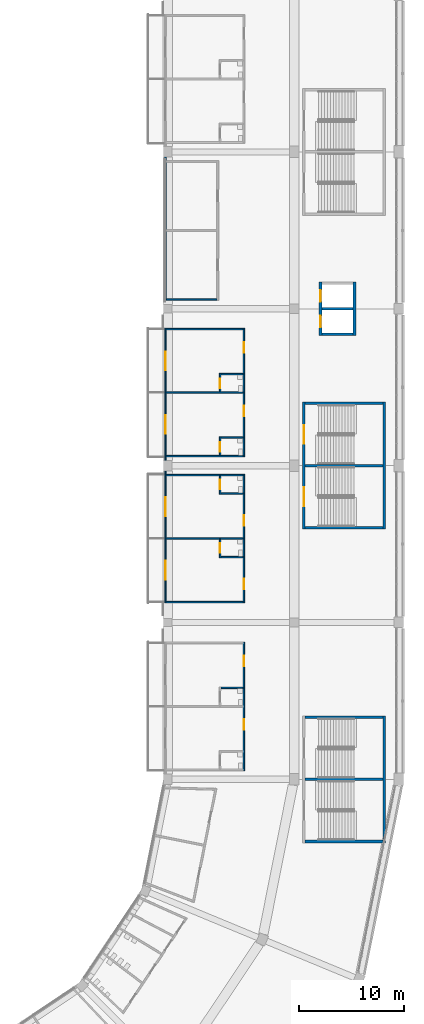
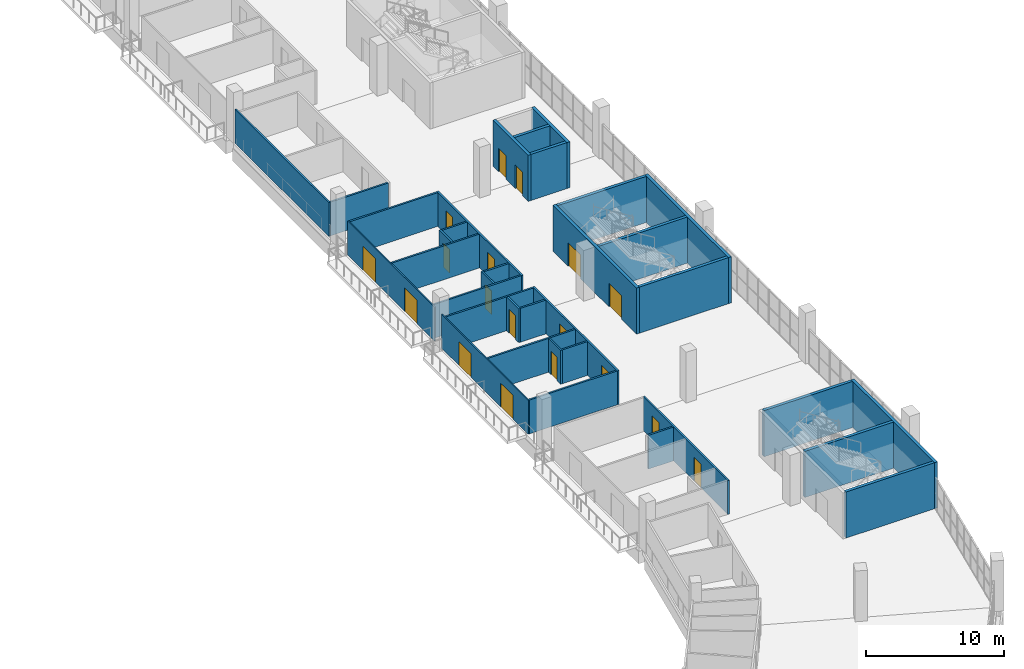
# One storey, part 80 of 199: 35 walls, 18 doors, 18 openings.
"""IFC4 building model written with IfcOpenShell, lengths in metres."""

from ifc_helpers import new_model, si_unit, direction, frame, frame_2d, origin, place, context, subcontext, project, spatial, rectangle, extrude, material, layer, layer_set, type_object, element, fill, save


model = new_model("IFC4")

# Units and contexts
model_context = context("Model", 3, precision=1e-05, world=origin(), true_north=direction((0.0, 1.0)))
body_context = subcontext(model_context, "Body", "Model", "MODEL_VIEW")
ifc_project = project(units=[si_unit("LENGTHUNIT", "METRE"), si_unit("AREAUNIT", "SQUARE_METRE"), si_unit("VOLUMEUNIT", "CUBIC_METRE"), si_unit("PLANEANGLEUNIT", "RADIAN"), si_unit("MASSUNIT", "GRAM", prefix="KILO")], contexts=[model_context])

# Site, building, storey
site_placement = place(None, origin())
site = spatial("IfcSite", under=ifc_project, at=site_placement, CompositionType="ELEMENT")
building_placement = place(site_placement, origin())
building = spatial("IfcBuilding", under=site, at=building_placement, Name="Ogive Plaza Stadium", CompositionType="ELEMENT")
storey_placement = place(building_placement, frame((0.0, 0.0, 9.0)))
storey = spatial("IfcBuildingStorey", under=building, at=storey_placement, Name="L02", CompositionType="ELEMENT", Elevation=9.0)

# Walls
ifc_material_1 = material(Name="Masonry blockwork", Category="masonry")
ifc_layer_1 = layer(ifc_material_1, 0.14990234375)
ifc_layer_set_1 = layer_set([ifc_layer_1], Name="Blockwork wall 150")
wall_type_1 = type_object("IfcWallType", Name="Blockwork wall 150", PredefinedType="SOLIDWALL", material=ifc_layer_set_1)
wall_1_placement = place(storey_placement, frame((61.699951171875, 7.0, 0.0), z_axis=(0.0, 0.0, 1.0), x_axis=(0.0, -1.0, 0.0)))
element("IfcWall", 1, at=wall_1_placement, inside=storey, type_object=wall_type_1, Name="Wall L02 B04", PredefinedType="SOLIDWALL", context=body_context, shape_type="SweptSolid", body=[
    extrude(rectangle(XDim=13.675048828125, YDim=0.14990234375, at=frame_2d((6.83740234375, 0.0))), origin(), (0.0, 0.0, 1.0), 3.0),
])
wall_2_placement = place(storey_placement, frame((61.77490234375, -6.60009765625, 0.0), z_axis=(0.0, 0.0, 1.0), x_axis=(1.0, 0.0, 0.0)))
element("IfcWall", 2, at=wall_2_placement, inside=storey, type_object=wall_type_1, Name="Wall L02 B04", PredefinedType="SOLIDWALL", context=body_context, shape_type="SweptSolid", body=[
    extrude(rectangle(XDim=4.85009765625, YDim=0.14990234375, at=frame_2d((2.425048828125, 0.0))), origin(), (0.0, 0.0, 1.0), 3.0),
])

# Wall, openings, doors
wall_3_placement = place(storey_placement, frame((69.199951171875, -21.675048828125, 0.0), z_axis=(0.0, 0.0, 1.0), x_axis=(0.0, 1.0, 0.0)))
wall_3 = element("IfcWall", 3, at=wall_3_placement, inside=storey, type_object=wall_type_1, Name="Wall L02 B05", PredefinedType="SOLIDWALL", context=body_context, shape_type="SweptSolid", body=[
    extrude(rectangle(XDim=12.300048828125, YDim=0.14990234375, at=frame_2d((6.14990234375, 0.0))), origin(), (0.0, 0.0, 1.0), 3.0),
])
opening_1_placement = place(wall_3_placement, frame((3.916015625, 0.0, 0.0)))
opening_1 = element("IfcOpeningElement", 4, at=opening_1_placement, cuts=wall_3, Name="Opening D0625", PredefinedType="OPENING", context=body_context, shape_type="SweptSolid", body=[
    extrude(rectangle(XDim=1.0, YDim=2.10009765625, at=frame_2d((0.5, 1.050048828125))), frame((0.0, 0.074951171875, 0.0), z_axis=(0.0, -1.0, 0.0), x_axis=(1.0, 0.0, 0.0)), (0.0, 0.0, 1.0), 0.14990234375),
])
opening_2_placement = place(wall_3_placement, frame((9.990966796875, 0.0, 0.0)))
opening_2 = element("IfcOpeningElement", 5, at=opening_2_placement, cuts=wall_3, Name="Opening D0626", PredefinedType="OPENING", context=body_context, shape_type="SweptSolid", body=[
    extrude(rectangle(XDim=1.0, YDim=2.10009765625, at=frame_2d((0.5, 1.050048828125))), frame((0.0, 0.074951171875, 0.0), z_axis=(0.0, -1.0, 0.0), x_axis=(1.0, 0.0, 0.0)), (0.0, 0.0, 1.0), 0.14990234375),
])
ifc_material_2 = material(Name="Steel ASTM A572 Grade 50", Category="steel")
door_type_1 = type_object("IfcDoorType", Name="Fire door FD30S 1000 x 2100", OperationType="SINGLE_SWING_LEFT", PredefinedType="DOOR", material=ifc_material_2)
door_1_placement = place(opening_1_placement, origin())
door_1 = element("IfcDoor", 6, at=door_1_placement, inside=storey, type_object=door_type_1, Name="Hospitality Suite B05 door", OperationType="SINGLE_SWING_LEFT", OverallHeight=2.10009765625, OverallWidth=1.0, PredefinedType="DOOR", context=body_context, shape_type="SweptSolid", body=[
    extrude(rectangle(XDim=1.0, YDim=2.10009765625, at=frame_2d((0.5, 1.050048828125))), frame((0.0, 0.02490234375, 0.0), z_axis=(0.0, -1.0, 0.0), x_axis=(1.0, 0.0, 0.0)), (0.0, 0.0, 1.0), 0.050048828125),
])
fill(opening_1, door_1)
door_2_placement = place(opening_2_placement, origin())
door_2 = element("IfcDoor", 7, at=door_2_placement, inside=storey, type_object=door_type_1, Name="Hospitality Suite B05 door", OperationType="SINGLE_SWING_LEFT", OverallHeight=2.10009765625, OverallWidth=1.0, PredefinedType="DOOR", context=body_context, shape_type="SweptSolid", body=[
    extrude(rectangle(XDim=1.0, YDim=2.10009765625, at=frame_2d((0.5, 1.050048828125))), frame((0.0, 0.02490234375, 0.0), z_axis=(0.0, -1.0, 0.0), x_axis=(1.0, 0.0, 0.0)), (0.0, 0.0, 1.0), 0.050048828125),
])
fill(opening_2, door_2)

# Walls
for number, where, z_axis, x_axis, name in (
    (8, (61.75, -21.60009765625, 0.0), (0.0, 0.0, 1.0), (1.0, 0.0, 0.0), "Wall L02 B05"),
    (9, (61.75, -15.52490234375, 0.0), (0.0, 0.0, 1.0), (1.0, 0.0, 0.0), "Wall L02 B05"),
    (10, (61.75, -9.449951171875, 0.0), (0.0, 0.0, 1.0), (1.0, 0.0, 0.0), "Wall L02 B05"),
):
    element("IfcWall", number, at=place(storey_placement, frame(where, z_axis=z_axis, x_axis=x_axis)), inside=storey, type_object=wall_type_1, Name=name, PredefinedType="SOLIDWALL", context=body_context, shape_type="SweptSolid", body=[
        extrude(rectangle(XDim=7.375, YDim=0.14990234375, at=frame_2d((3.6875, 0.0))), origin(), (0.0, 0.0, 1.0), 3.0),
    ])

# Wall, openings, doors
wall_4_placement = place(storey_placement, frame((69.199951171875, -23.324951171875, 0.0), z_axis=(0.0, 0.0, 1.0), x_axis=(0.0, -1.0, 0.0)))
wall_4 = element("IfcWall", 11, at=wall_4_placement, inside=storey, type_object=wall_type_1, Name="Wall L02 B06", PredefinedType="SOLIDWALL", context=body_context, shape_type="SweptSolid", body=[
    extrude(rectangle(XDim=12.300048828125, YDim=0.14990234375, at=frame_2d((6.14990234375, 0.0))), origin(), (0.0, 0.0, 1.0), 3.0),
])
opening_3_placement = place(wall_4_placement, frame((3.916015625, 0.0, 0.0)))
opening_3 = element("IfcOpeningElement", 12, at=opening_3_placement, cuts=wall_4, Name="Opening D0631", PredefinedType="OPENING", context=body_context, shape_type="SweptSolid", body=[
    extrude(rectangle(XDim=1.0, YDim=2.10009765625, at=frame_2d((0.5, 1.050048828125))), frame((0.0, 0.074951171875, 0.0), z_axis=(0.0, -1.0, 0.0), x_axis=(1.0, 0.0, 0.0)), (0.0, 0.0, 1.0), 0.14990234375),
])
opening_4_placement = place(wall_4_placement, frame((9.990966796875, 0.0, 0.0)))
opening_4 = element("IfcOpeningElement", 13, at=opening_4_placement, cuts=wall_4, Name="Opening D0632", PredefinedType="OPENING", context=body_context, shape_type="SweptSolid", body=[
    extrude(rectangle(XDim=1.0, YDim=2.10009765625, at=frame_2d((0.5, 1.050048828125))), frame((0.0, 0.074951171875, 0.0), z_axis=(0.0, -1.0, 0.0), x_axis=(1.0, 0.0, 0.0)), (0.0, 0.0, 1.0), 0.14990234375),
])
door_3_placement = place(opening_3_placement, origin())
door_3 = element("IfcDoor", 14, at=door_3_placement, inside=storey, type_object=door_type_1, Name="Hospitality Suite B06 door", OperationType="SINGLE_SWING_RIGHT", OverallHeight=2.10009765625, OverallWidth=1.0, PredefinedType="DOOR", context=body_context, shape_type="SweptSolid", body=[
    extrude(rectangle(XDim=1.0, YDim=2.10009765625, at=frame_2d((0.5, 1.050048828125))), frame((0.0, 0.02490234375, 0.0), z_axis=(0.0, -1.0, 0.0), x_axis=(1.0, 0.0, 0.0)), (0.0, 0.0, 1.0), 0.050048828125),
])
fill(opening_3, door_3)
door_4_placement = place(opening_4_placement, origin())
door_4 = element("IfcDoor", 15, at=door_4_placement, inside=storey, type_object=door_type_1, Name="Hospitality Suite B06 door", OperationType="SINGLE_SWING_RIGHT", OverallHeight=2.10009765625, OverallWidth=1.0, PredefinedType="DOOR", context=body_context, shape_type="SweptSolid", body=[
    extrude(rectangle(XDim=1.0, YDim=2.10009765625, at=frame_2d((0.5, 1.050048828125))), frame((0.0, 0.02490234375, 0.0), z_axis=(0.0, -1.0, 0.0), x_axis=(1.0, 0.0, 0.0)), (0.0, 0.0, 1.0), 0.050048828125),
])
fill(opening_4, door_4)

# Walls
for number, where, z_axis, x_axis, name in (
    (16, (61.75, -23.39990234375, 0.0), (0.0, 0.0, 1.0), (1.0, 0.0, 0.0), "Wall L02 B06"),
    (17, (61.75, -29.47509765625, 0.0), (0.0, 0.0, 1.0), (1.0, 0.0, 0.0), "Wall L02 B06"),
    (18, (61.75, -35.550048828125, 0.0), (0.0, 0.0, 1.0), (1.0, 0.0, 0.0), "Wall L02 B06"),
):
    element("IfcWall", number, at=place(storey_placement, frame(where, z_axis=z_axis, x_axis=x_axis)), inside=storey, type_object=wall_type_1, Name=name, PredefinedType="SOLIDWALL", context=body_context, shape_type="SweptSolid", body=[
        extrude(rectangle(XDim=7.375, YDim=0.14990234375, at=frame_2d((3.6875, 0.0))), origin(), (0.0, 0.0, 1.0), 3.0),
    ])

# Wall, openings, doors
wall_5_placement = place(storey_placement, frame((69.199951171875, -51.675048828125, 0.0), z_axis=(0.0, 0.0, 1.0), x_axis=(0.0, 1.0, 0.0)))
wall_5 = element("IfcWall", 19, at=wall_5_placement, inside=storey, type_object=wall_type_1, Name="Wall L02 B07", PredefinedType="SOLIDWALL", context=body_context, shape_type="SweptSolid", body=[
    extrude(rectangle(XDim=12.300048828125, YDim=0.14990234375, at=frame_2d((6.14990234375, 0.0))), origin(), (0.0, 0.0, 1.0), 3.0),
])
opening_5_placement = place(wall_5_placement, frame((3.916015625, 0.0, 0.0)))
opening_5 = element("IfcOpeningElement", 20, at=opening_5_placement, cuts=wall_5, Name="Opening D0637", PredefinedType="OPENING", context=body_context, shape_type="SweptSolid", body=[
    extrude(rectangle(XDim=1.0, YDim=2.10009765625, at=frame_2d((0.5, 1.050048828125))), frame((0.0, 0.074951171875, 0.0), z_axis=(0.0, -1.0, 0.0), x_axis=(1.0, 0.0, 0.0)), (0.0, 0.0, 1.0), 0.14990234375),
])
opening_6_placement = place(wall_5_placement, frame((9.990966796875, 0.0, 0.0)))
opening_6 = element("IfcOpeningElement", 21, at=opening_6_placement, cuts=wall_5, Name="Opening D0638", PredefinedType="OPENING", context=body_context, shape_type="SweptSolid", body=[
    extrude(rectangle(XDim=1.0, YDim=2.10009765625, at=frame_2d((0.5, 1.050048828125))), frame((0.0, 0.074951171875, 0.0), z_axis=(0.0, -1.0, 0.0), x_axis=(1.0, 0.0, 0.0)), (0.0, 0.0, 1.0), 0.14990234375),
])
door_5_placement = place(opening_5_placement, origin())
door_5 = element("IfcDoor", 22, at=door_5_placement, inside=storey, type_object=door_type_1, Name="Hospitality Suite B07 door", OperationType="SINGLE_SWING_LEFT", OverallHeight=2.10009765625, OverallWidth=1.0, PredefinedType="DOOR", context=body_context, shape_type="SweptSolid", body=[
    extrude(rectangle(XDim=1.0, YDim=2.10009765625, at=frame_2d((0.5, 1.050048828125))), frame((0.0, 0.02490234375, 0.0), z_axis=(0.0, -1.0, 0.0), x_axis=(1.0, 0.0, 0.0)), (0.0, 0.0, 1.0), 0.050048828125),
])
fill(opening_5, door_5)
door_6_placement = place(opening_6_placement, origin())
door_6 = element("IfcDoor", 23, at=door_6_placement, inside=storey, type_object=door_type_1, Name="Hospitality Suite B07 door", OperationType="SINGLE_SWING_LEFT", OverallHeight=2.10009765625, OverallWidth=1.0, PredefinedType="DOOR", context=body_context, shape_type="SweptSolid", body=[
    extrude(rectangle(XDim=1.0, YDim=2.10009765625, at=frame_2d((0.5, 1.050048828125))), frame((0.0, 0.02490234375, 0.0), z_axis=(0.0, -1.0, 0.0), x_axis=(1.0, 0.0, 0.0)), (0.0, 0.0, 1.0), 0.050048828125),
])
fill(opening_6, door_6)

ifc_material_3 = material(Name="Concrete C40/50", Category="concrete")
ifc_layer_2 = layer(ifc_material_3, 0.25)
ifc_layer_set_2 = layer_set([ifc_layer_2], Name="Concrete C40/50")
wall_type_2 = type_object("IfcWallType", Name="Core wall 250", PredefinedType="SHEAR", material=ifc_layer_set_2)
wall_6_placement = place(storey_placement, frame((74.925048828125, -28.574951171875, 0.0), z_axis=(0.0, 0.0, 1.0), x_axis=(0.0, 1.0, 0.0)))
wall_6 = element("IfcWall", 24, at=wall_6_placement, inside=storey, type_object=wall_type_2, Name="Stair core R06 inner wall", PredefinedType="SHEAR", context=body_context, shape_type="SweptSolid", body=[
    extrude(rectangle(XDim=12.14990234375, YDim=0.25, at=frame_2d((6.074951171875, 0.0))), origin(), (0.0, 0.0, 1.0), 4.090087890625),
])
opening_7_placement = place(wall_6_placement, frame((2.199951171875, 0.0, 0.0)))
opening_7 = element("IfcOpeningElement", 25, at=opening_7_placement, cuts=wall_6, Name="Opening D0073", PredefinedType="OPENING", context=body_context, shape_type="SweptSolid", body=[
    extrude(rectangle(XDim=1.800048828125, YDim=2.10009765625, at=frame_2d((0.89990234375, 1.050048828125))), frame((0.0, 0.125, 0.0), z_axis=(0.0, -1.0, 0.0), x_axis=(1.0, 0.0, 0.0)), (0.0, 0.0, 1.0), 0.25),
])
opening_8_placement = place(wall_6_placement, frame((8.14990234375, 0.0, 0.0)))
opening_8 = element("IfcOpeningElement", 26, at=opening_8_placement, cuts=wall_6, Name="Opening D0074", PredefinedType="OPENING", context=body_context, shape_type="SweptSolid", body=[
    extrude(rectangle(XDim=1.800048828125, YDim=2.10009765625, at=frame_2d((0.89990234375, 1.050048828125))), frame((0.0, 0.125, 0.0), z_axis=(0.0, -1.0, 0.0), x_axis=(1.0, 0.0, 0.0)), (0.0, 0.0, 1.0), 0.25),
])
ifc_material_4 = material(Name="Steel ASTM A572 Grade 50", Category="steel")
door_type_2 = type_object("IfcDoorType", Name="Fire door FD90 pair 1800 x 2100", OperationType="DOUBLE_DOOR_SINGLE_SWING", PredefinedType="DOOR", material=ifc_material_4)
door_7_placement = place(opening_7_placement, origin())
door_7 = element("IfcDoor", 27, at=door_7_placement, inside=storey, type_object=door_type_2, Name="Exit stair R06A door L02", OperationType="DOUBLE_DOOR_SINGLE_SWING", OverallHeight=2.10009765625, OverallWidth=1.800048828125, PredefinedType="DOOR", context=body_context, shape_type="SweptSolid", body=[
    extrude(rectangle(XDim=1.800048828125, YDim=2.10009765625, at=frame_2d((0.89990234375, 1.050048828125))), frame((0.0, 0.02490234375, 0.0), z_axis=(0.0, -1.0, 0.0), x_axis=(1.0, 0.0, 0.0)), (0.0, 0.0, 1.0), 0.050048828125),
])
fill(opening_7, door_7)
door_8_placement = place(opening_8_placement, origin())
door_8 = element("IfcDoor", 28, at=door_8_placement, inside=storey, type_object=door_type_2, Name="Exit stair R06B door L02", OperationType="DOUBLE_DOOR_SINGLE_SWING", OverallHeight=2.10009765625, OverallWidth=1.800048828125, PredefinedType="DOOR", context=body_context, shape_type="SweptSolid", body=[
    extrude(rectangle(XDim=1.800048828125, YDim=2.10009765625, at=frame_2d((0.89990234375, 1.050048828125))), frame((0.0, 0.02490234375, 0.0), z_axis=(0.0, -1.0, 0.0), x_axis=(1.0, 0.0, 0.0)), (0.0, 0.0, 1.0), 0.050048828125),
])
fill(opening_8, door_8)

# Walls
wall_7_placement = place(storey_placement, frame((82.635009765625, -28.574951171875, 0.0), z_axis=(0.0, 0.0, 1.0), x_axis=(0.0, 1.0, 0.0)))
element("IfcWall", 29, at=wall_7_placement, inside=storey, type_object=wall_type_2, Name="Stair core R06 outer wall", PredefinedType="SHEAR", context=body_context, shape_type="SweptSolid", body=[
    extrude(rectangle(XDim=12.14990234375, YDim=0.25, at=frame_2d((6.074951171875, 0.0))), origin(), (0.0, 0.0, 1.0), 4.090087890625),
])
for number, where, z_axis, x_axis, name in (
    (30, (75.050048828125, -28.449951171875, 0.0), (0.0, 0.0, 1.0), (1.0, 0.0, 0.0), "Stair core R06 side wall"),
    (31, (75.050048828125, -16.550048828125, 0.0), (0.0, 0.0, 1.0), (1.0, 0.0, 0.0), "Stair core R06 side wall"),
    (32, (75.050048828125, -22.5, 0.0), (0.0, 0.0, 1.0), (1.0, 0.0, 0.0), "Stair core R06 centre wall"),
):
    element("IfcWall", number, at=place(storey_placement, frame(where, z_axis=z_axis, x_axis=x_axis)), inside=storey, type_object=wall_type_2, Name=name, PredefinedType="SHEAR", context=body_context, shape_type="SweptSolid", body=[
        extrude(rectangle(XDim=7.4599609375, YDim=0.25, at=frame_2d((3.72998046875, 0.0))), origin(), (0.0, 0.0, 1.0), 4.090087890625),
    ])
wall_8_placement = place(storey_placement, frame((82.635009765625, -58.574951171875, 0.0), z_axis=(0.0, 0.0, 1.0), x_axis=(0.0, 1.0, 0.0)))
element("IfcWall", 33, at=wall_8_placement, inside=storey, type_object=wall_type_2, Name="Stair core R08 outer wall", PredefinedType="SHEAR", context=body_context, shape_type="SweptSolid", body=[
    extrude(rectangle(XDim=12.14990234375, YDim=0.25, at=frame_2d((6.074951171875, 0.0))), origin(), (0.0, 0.0, 1.0), 4.090087890625),
])
for number, where, z_axis, x_axis, name in (
    (34, (75.050048828125, -58.449951171875, 0.0), (0.0, 0.0, 1.0), (1.0, 0.0, 0.0), "Stair core R08 side wall"),
    (35, (75.050048828125, -46.550048828125, 0.0), (0.0, 0.0, 1.0), (1.0, 0.0, 0.0), "Stair core R08 side wall"),
    (36, (75.050048828125, -52.5, 0.0), (0.0, 0.0, 1.0), (1.0, 0.0, 0.0), "Stair core R08 centre wall"),
):
    element("IfcWall", number, at=place(storey_placement, frame(where, z_axis=z_axis, x_axis=x_axis)), inside=storey, type_object=wall_type_2, Name=name, PredefinedType="SHEAR", context=body_context, shape_type="SweptSolid", body=[
        extrude(rectangle(XDim=7.4599609375, YDim=0.25, at=frame_2d((3.72998046875, 0.0))), origin(), (0.0, 0.0, 1.0), 4.090087890625),
    ])

# Wall, openings, doors
wall_9_placement = place(storey_placement, frame((76.52490234375, -10.074951171875, 0.0), z_axis=(0.0, 0.0, 1.0), x_axis=(0.0, 1.0, 0.0)))
wall_9 = element("IfcWall", 37, at=wall_9_placement, inside=storey, type_object=wall_type_2, Name="Lift core LP05 landing wall", PredefinedType="SHEAR", context=body_context, shape_type="SweptSolid", body=[
    extrude(rectangle(XDim=5.14990234375, YDim=0.25, at=frame_2d((2.574951171875, 0.0))), origin(), (0.0, 0.0, 1.0), 4.090087890625),
])
opening_9_placement = place(wall_9_placement, frame((0.800048828125, 0.0, 0.0)))
opening_9 = element("IfcOpeningElement", 38, at=opening_9_placement, cuts=wall_9, Name="Opening LD013", PredefinedType="OPENING", context=body_context, shape_type="SweptSolid", body=[
    extrude(rectangle(XDim=1.10009765625, YDim=2.10009765625, at=frame_2d((0.550048828125, 1.050048828125))), frame((0.0, 0.125, 0.0), z_axis=(0.0, -1.0, 0.0), x_axis=(1.0, 0.0, 0.0)), (0.0, 0.0, 1.0), 0.25),
])
opening_10_placement = place(wall_9_placement, frame((3.25, 0.0, 0.0)))
opening_10 = element("IfcOpeningElement", 39, at=opening_10_placement, cuts=wall_9, Name="Opening LD014", PredefinedType="OPENING", context=body_context, shape_type="SweptSolid", body=[
    extrude(rectangle(XDim=1.10009765625, YDim=2.10009765625, at=frame_2d((0.550048828125, 1.050048828125))), frame((0.0, 0.125, 0.0), z_axis=(0.0, -1.0, 0.0), x_axis=(1.0, 0.0, 0.0)), (0.0, 0.0, 1.0), 0.25),
])
ifc_material_5 = material(Name="Steel ASTM A572 Grade 50", Category="steel")
door_type_3 = type_object("IfcDoorType", Name="Landing door 1100 x 2100", OperationType="SLIDING_TO_LEFT", PredefinedType="DOOR", material=ifc_material_5)
door_9_placement = place(opening_9_placement, origin())
door_9 = element("IfcDoor", 40, at=door_9_placement, inside=storey, type_object=door_type_3, Name="Lift landing door LP05 L02", OperationType="SLIDING_TO_LEFT", OverallHeight=2.10009765625, OverallWidth=1.10009765625, PredefinedType="DOOR", context=body_context, shape_type="SweptSolid", body=[
    extrude(rectangle(XDim=1.10009765625, YDim=2.10009765625, at=frame_2d((0.550048828125, 1.050048828125))), frame((0.0, 0.02490234375, 0.0), z_axis=(0.0, -1.0, 0.0), x_axis=(1.0, 0.0, 0.0)), (0.0, 0.0, 1.0), 0.050048828125),
])
fill(opening_9, door_9)
door_10_placement = place(opening_10_placement, origin())
door_10 = element("IfcDoor", 41, at=door_10_placement, inside=storey, type_object=door_type_3, Name="Lift landing door LP05 L02", OperationType="SLIDING_TO_LEFT", OverallHeight=2.10009765625, OverallWidth=1.10009765625, PredefinedType="DOOR", context=body_context, shape_type="SweptSolid", body=[
    extrude(rectangle(XDim=1.10009765625, YDim=2.10009765625, at=frame_2d((0.550048828125, 1.050048828125))), frame((0.0, 0.02490234375, 0.0), z_axis=(0.0, -1.0, 0.0), x_axis=(1.0, 0.0, 0.0)), (0.0, 0.0, 1.0), 0.050048828125),
])
fill(opening_10, door_10)

# Walls
wall_10_placement = place(storey_placement, frame((79.77490234375, -10.074951171875, 0.0), z_axis=(0.0, 0.0, 1.0), x_axis=(0.0, 1.0, 0.0)))
element("IfcWall", 42, at=wall_10_placement, inside=storey, type_object=wall_type_2, Name="Lift core LP05 rear wall", PredefinedType="SHEAR", context=body_context, shape_type="SweptSolid", body=[
    extrude(rectangle(XDim=5.14990234375, YDim=0.25, at=frame_2d((2.574951171875, 0.0))), origin(), (0.0, 0.0, 1.0), 4.090087890625),
])
for number, where, z_axis, x_axis, name in (
    (43, (76.64990234375, -9.949951171875, 0.0), (0.0, 0.0, 1.0), (1.0, 0.0, 0.0), "Lift core LP05 side wall"),
    (44, (76.64990234375, -7.5, 0.0), (0.0, 0.0, 1.0), (1.0, 0.0, 0.0), "Lift core LP05 centre wall"),
):
    element("IfcWall", number, at=place(storey_placement, frame(where, z_axis=z_axis, x_axis=x_axis)), inside=storey, type_object=wall_type_2, Name=name, PredefinedType="SHEAR", context=body_context, shape_type="SweptSolid", body=[
        extrude(rectangle(XDim=3.0, YDim=0.25, at=frame_2d((1.5, 0.0))), origin(), (0.0, 0.0, 1.0), 4.090087890625),
    ])

# Wall, openings, doors
ifc_material_6 = material(Name="Laminated glass in aluminium frame", Category="aluminium")
ifc_layer_3 = layer(ifc_material_6, 0.10009765625)
ifc_layer_set_3 = layer_set([ifc_layer_3], Name="Glazed partition 100")
wall_type_3 = type_object("IfcWallType", Name="Glazed partition 100", PredefinedType="PARTITIONING", material=ifc_layer_set_3)
wall_11_placement = place(storey_placement, frame((61.699951171875, -22.0, 0.0), z_axis=(0.0, 0.0, 1.0), x_axis=(0.0, 1.0, 0.0)))
wall_11 = element("IfcWall", 45, at=wall_11_placement, inside=storey, type_object=wall_type_3, Name="Wall L02 B05", PredefinedType="PARTITIONING", context=body_context, shape_type="SweptSolid", body=[
    extrude(rectangle(XDim=12.625, YDim=0.10009765625, at=frame_2d((6.3125, 0.0))), origin(), (0.0, 0.0, 1.0), 3.0),
])
opening_11_placement = place(wall_11_placement, frame((2.53759765625, 0.0, 0.0)))
opening_11 = element("IfcOpeningElement", 46, at=opening_11_placement, cuts=wall_11, Name="Opening D0627", PredefinedType="OPENING", context=body_context, shape_type="SweptSolid", body=[
    extrude(rectangle(XDim=1.800048828125, YDim=2.10009765625, at=frame_2d((0.89990234375, 1.050048828125))), frame((0.0, 0.050048828125, 0.0), z_axis=(0.0, -1.0, 0.0), x_axis=(1.0, 0.0, 0.0)), (0.0, 0.0, 1.0), 0.10009765625),
])
opening_12_placement = place(wall_11_placement, frame((8.612548828125, 0.0, 0.0)))
opening_12 = element("IfcOpeningElement", 47, at=opening_12_placement, cuts=wall_11, Name="Opening D0628", PredefinedType="OPENING", context=body_context, shape_type="SweptSolid", body=[
    extrude(rectangle(XDim=1.800048828125, YDim=2.10009765625, at=frame_2d((0.89990234375, 1.050048828125))), frame((0.0, 0.050048828125, 0.0), z_axis=(0.0, -1.0, 0.0), x_axis=(1.0, 0.0, 0.0)), (0.0, 0.0, 1.0), 0.10009765625),
])
ifc_material_7 = material(Name="Steel ASTM A572 Grade 50", Category="steel")
door_type_4 = type_object("IfcDoorType", Name="Door pair 1800 x 2100", OperationType="DOUBLE_DOOR_SINGLE_SWING", PredefinedType="DOOR", material=ifc_material_7)
door_11_placement = place(opening_11_placement, origin())
door_11 = element("IfcDoor", 48, at=door_11_placement, inside=storey, type_object=door_type_4, Name="Suite terrace door B05", OperationType="DOUBLE_DOOR_SINGLE_SWING", OverallHeight=2.10009765625, OverallWidth=1.800048828125, PredefinedType="DOOR", context=body_context, shape_type="SweptSolid", body=[
    extrude(rectangle(XDim=1.800048828125, YDim=2.10009765625, at=frame_2d((0.89990234375, 1.050048828125))), frame((0.0, 0.02490234375, 0.0), z_axis=(0.0, -1.0, 0.0), x_axis=(1.0, 0.0, 0.0)), (0.0, 0.0, 1.0), 0.050048828125),
])
fill(opening_11, door_11)
door_12_placement = place(opening_12_placement, origin())
door_12 = element("IfcDoor", 49, at=door_12_placement, inside=storey, type_object=door_type_4, Name="Suite terrace door B05", OperationType="DOUBLE_DOOR_SINGLE_SWING", OverallHeight=2.10009765625, OverallWidth=1.800048828125, PredefinedType="DOOR", context=body_context, shape_type="SweptSolid", body=[
    extrude(rectangle(XDim=1.800048828125, YDim=2.10009765625, at=frame_2d((0.89990234375, 1.050048828125))), frame((0.0, 0.02490234375, 0.0), z_axis=(0.0, -1.0, 0.0), x_axis=(1.0, 0.0, 0.0)), (0.0, 0.0, 1.0), 0.050048828125),
])
fill(opening_12, door_12)

wall_12_placement = place(storey_placement, frame((61.699951171875, -23.0, 0.0), z_axis=(0.0, 0.0, 1.0), x_axis=(0.0, -1.0, 0.0)))
wall_12 = element("IfcWall", 50, at=wall_12_placement, inside=storey, type_object=wall_type_3, Name="Wall L02 B06", PredefinedType="PARTITIONING", context=body_context, shape_type="SweptSolid", body=[
    extrude(rectangle(XDim=12.625, YDim=0.10009765625, at=frame_2d((6.3125, 0.0))), origin(), (0.0, 0.0, 1.0), 3.0),
])
opening_13_placement = place(wall_12_placement, frame((2.53759765625, 0.0, 0.0)))
opening_13 = element("IfcOpeningElement", 51, at=opening_13_placement, cuts=wall_12, Name="Opening D0633", PredefinedType="OPENING", context=body_context, shape_type="SweptSolid", body=[
    extrude(rectangle(XDim=1.800048828125, YDim=2.10009765625, at=frame_2d((0.89990234375, 1.050048828125))), frame((0.0, 0.050048828125, 0.0), z_axis=(0.0, -1.0, 0.0), x_axis=(1.0, 0.0, 0.0)), (0.0, 0.0, 1.0), 0.10009765625),
])
opening_14_placement = place(wall_12_placement, frame((8.612548828125, 0.0, 0.0)))
opening_14 = element("IfcOpeningElement", 52, at=opening_14_placement, cuts=wall_12, Name="Opening D0634", PredefinedType="OPENING", context=body_context, shape_type="SweptSolid", body=[
    extrude(rectangle(XDim=1.800048828125, YDim=2.10009765625, at=frame_2d((0.89990234375, 1.050048828125))), frame((0.0, 0.050048828125, 0.0), z_axis=(0.0, -1.0, 0.0), x_axis=(1.0, 0.0, 0.0)), (0.0, 0.0, 1.0), 0.10009765625),
])
door_13_placement = place(opening_13_placement, origin())
door_13 = element("IfcDoor", 53, at=door_13_placement, inside=storey, type_object=door_type_4, Name="Suite terrace door B06", OperationType="DOUBLE_DOOR_SINGLE_SWING", OverallHeight=2.10009765625, OverallWidth=1.800048828125, PredefinedType="DOOR", context=body_context, shape_type="SweptSolid", body=[
    extrude(rectangle(XDim=1.800048828125, YDim=2.10009765625, at=frame_2d((0.89990234375, 1.050048828125))), frame((0.0, 0.02490234375, 0.0), z_axis=(0.0, -1.0, 0.0), x_axis=(1.0, 0.0, 0.0)), (0.0, 0.0, 1.0), 0.050048828125),
])
fill(opening_13, door_13)
door_14_placement = place(opening_14_placement, origin())
door_14 = element("IfcDoor", 54, at=door_14_placement, inside=storey, type_object=door_type_4, Name="Suite terrace door B06", OperationType="DOUBLE_DOOR_SINGLE_SWING", OverallHeight=2.10009765625, OverallWidth=1.800048828125, PredefinedType="DOOR", context=body_context, shape_type="SweptSolid", body=[
    extrude(rectangle(XDim=1.800048828125, YDim=2.10009765625, at=frame_2d((0.89990234375, 1.050048828125))), frame((0.0, 0.02490234375, 0.0), z_axis=(0.0, -1.0, 0.0), x_axis=(1.0, 0.0, 0.0)), (0.0, 0.0, 1.0), 0.050048828125),
])
fill(opening_14, door_14)

# Wall, opening, door
ifc_material_8 = material(Name="Gypsum board partition", Category="gypsum")
ifc_layer_4 = layer(ifc_material_8, 0.14990234375)
ifc_layer_set_4 = layer_set([ifc_layer_4], Name="Partition 150")
wall_type_4 = type_object("IfcWallType", Name="Partition 150", PredefinedType="PARTITIONING", material=ifc_layer_set_4)
wall_13_placement = place(storey_placement, frame((66.925048828125, -21.52490234375, 0.0), z_axis=(0.0, 0.0, 1.0), x_axis=(0.0, 1.0, 0.0)))
wall_13 = element("IfcWall", 55, at=wall_13_placement, inside=storey, type_object=wall_type_4, Name="Wall L02 B05", PredefinedType="PARTITIONING", context=body_context, shape_type="SweptSolid", body=[
    extrude(rectangle(XDim=1.77490234375, YDim=0.14990234375, at=frame_2d((0.887451171875, 0.0))), origin(), (0.0, 0.0, 1.0), 3.0),
])
opening_15_placement = place(wall_13_placement, frame((0.362548828125, 0.0, 0.0)))
opening_15 = element("IfcOpeningElement", 56, at=opening_15_placement, cuts=wall_13, Name="Opening D0629", PredefinedType="OPENING", context=body_context, shape_type="SweptSolid", body=[
    extrude(rectangle(XDim=0.89990234375, YDim=2.10009765625, at=frame_2d((0.449951171875, 1.050048828125))), frame((0.0, 0.074951171875, 0.0), z_axis=(0.0, -1.0, 0.0), x_axis=(1.0, 0.0, 0.0)), (0.0, 0.0, 1.0), 0.14990234375),
])
ifc_material_9 = material(Name="Steel ASTM A572 Grade 50", Category="steel")
door_type_5 = type_object("IfcDoorType", Name="Door 900 x 2100", OperationType="SINGLE_SWING_LEFT", PredefinedType="DOOR", material=ifc_material_9)
door_15_placement = place(opening_15_placement, origin())
door_15 = element("IfcDoor", 57, at=door_15_placement, inside=storey, type_object=door_type_5, Name="Suite WC B05 door", OperationType="SINGLE_SWING_RIGHT", OverallHeight=2.10009765625, OverallWidth=0.89990234375, PredefinedType="DOOR", context=body_context, shape_type="SweptSolid", body=[
    extrude(rectangle(XDim=0.89990234375, YDim=2.10009765625, at=frame_2d((0.449951171875, 1.050048828125))), frame((0.0, 0.02490234375, 0.0), z_axis=(0.0, -1.0, 0.0), x_axis=(1.0, 0.0, 0.0)), (0.0, 0.0, 1.0), 0.050048828125),
])
fill(opening_15, door_15)

# Wall
wall_14_placement = place(storey_placement, frame((67.0, -19.824951171875, 0.0), z_axis=(0.0, 0.0, 1.0), x_axis=(1.0, 0.0, 0.0)))
element("IfcWall", 58, at=wall_14_placement, inside=storey, type_object=wall_type_4, Name="Wall L02 B05", PredefinedType="PARTITIONING", context=body_context, shape_type="SweptSolid", body=[
    extrude(rectangle(XDim=2.125, YDim=0.14990234375, at=frame_2d((1.0625, 0.0))), origin(), (0.0, 0.0, 1.0), 3.0),
])

# Wall, opening, door
wall_15_placement = place(storey_placement, frame((66.925048828125, -15.449951171875, 0.0), z_axis=(0.0, 0.0, 1.0), x_axis=(0.0, 1.0, 0.0)))
wall_15 = element("IfcWall", 59, at=wall_15_placement, inside=storey, type_object=wall_type_4, Name="Wall L02 B05", PredefinedType="PARTITIONING", context=body_context, shape_type="SweptSolid", body=[
    extrude(rectangle(XDim=1.77490234375, YDim=0.14990234375, at=frame_2d((0.887451171875, 0.0))), origin(), (0.0, 0.0, 1.0), 3.0),
])
opening_16_placement = place(wall_15_placement, frame((0.362548828125, 0.0, 0.0)))
opening_16 = element("IfcOpeningElement", 60, at=opening_16_placement, cuts=wall_15, Name="Opening D0630", PredefinedType="OPENING", context=body_context, shape_type="SweptSolid", body=[
    extrude(rectangle(XDim=0.89990234375, YDim=2.10009765625, at=frame_2d((0.449951171875, 1.050048828125))), frame((0.0, 0.074951171875, 0.0), z_axis=(0.0, -1.0, 0.0), x_axis=(1.0, 0.0, 0.0)), (0.0, 0.0, 1.0), 0.14990234375),
])
door_16_placement = place(opening_16_placement, origin())
door_16 = element("IfcDoor", 61, at=door_16_placement, inside=storey, type_object=door_type_5, Name="Suite WC B05 door", OperationType="SINGLE_SWING_LEFT", OverallHeight=2.10009765625, OverallWidth=0.89990234375, PredefinedType="DOOR", context=body_context, shape_type="SweptSolid", body=[
    extrude(rectangle(XDim=0.89990234375, YDim=2.10009765625, at=frame_2d((0.449951171875, 1.050048828125))), frame((0.0, 0.02490234375, 0.0), z_axis=(0.0, -1.0, 0.0), x_axis=(1.0, 0.0, 0.0)), (0.0, 0.0, 1.0), 0.050048828125),
])
fill(opening_16, door_16)

# Wall
wall_16_placement = place(storey_placement, frame((67.0, -13.75, 0.0), z_axis=(0.0, 0.0, 1.0), x_axis=(1.0, 0.0, 0.0)))
element("IfcWall", 62, at=wall_16_placement, inside=storey, type_object=wall_type_4, Name="Wall L02 B05", PredefinedType="PARTITIONING", context=body_context, shape_type="SweptSolid", body=[
    extrude(rectangle(XDim=2.125, YDim=0.14990234375, at=frame_2d((1.0625, 0.0))), origin(), (0.0, 0.0, 1.0), 3.0),
])

# Wall, opening, door
wall_17_placement = place(storey_placement, frame((66.925048828125, -23.47509765625, 0.0), z_axis=(0.0, 0.0, 1.0), x_axis=(0.0, -1.0, 0.0)))
wall_17 = element("IfcWall", 63, at=wall_17_placement, inside=storey, type_object=wall_type_4, Name="Wall L02 B06", PredefinedType="PARTITIONING", context=body_context, shape_type="SweptSolid", body=[
    extrude(rectangle(XDim=1.77490234375, YDim=0.14990234375, at=frame_2d((0.887451171875, 0.0))), origin(), (0.0, 0.0, 1.0), 3.0),
])
opening_17_placement = place(wall_17_placement, frame((0.362548828125, 0.0, 0.0)))
opening_17 = element("IfcOpeningElement", 64, at=opening_17_placement, cuts=wall_17, Name="Opening D0635", PredefinedType="OPENING", context=body_context, shape_type="SweptSolid", body=[
    extrude(rectangle(XDim=0.89990234375, YDim=2.10009765625, at=frame_2d((0.449951171875, 1.050048828125))), frame((0.0, 0.074951171875, 0.0), z_axis=(0.0, -1.0, 0.0), x_axis=(1.0, 0.0, 0.0)), (0.0, 0.0, 1.0), 0.14990234375),
])
door_17_placement = place(opening_17_placement, origin())
door_17 = element("IfcDoor", 65, at=door_17_placement, inside=storey, type_object=door_type_5, Name="Suite WC B06 door", OperationType="SINGLE_SWING_LEFT", OverallHeight=2.10009765625, OverallWidth=0.89990234375, PredefinedType="DOOR", context=body_context, shape_type="SweptSolid", body=[
    extrude(rectangle(XDim=0.89990234375, YDim=2.10009765625, at=frame_2d((0.449951171875, 1.050048828125))), frame((0.0, 0.02490234375, 0.0), z_axis=(0.0, -1.0, 0.0), x_axis=(1.0, 0.0, 0.0)), (0.0, 0.0, 1.0), 0.050048828125),
])
fill(opening_17, door_17)

# Wall
wall_18_placement = place(storey_placement, frame((67.0, -25.175048828125, 0.0), z_axis=(0.0, 0.0, 1.0), x_axis=(1.0, 0.0, 0.0)))
element("IfcWall", 66, at=wall_18_placement, inside=storey, type_object=wall_type_4, Name="Wall L02 B06", PredefinedType="PARTITIONING", context=body_context, shape_type="SweptSolid", body=[
    extrude(rectangle(XDim=2.125, YDim=0.14990234375, at=frame_2d((1.0625, 0.0))), origin(), (0.0, 0.0, 1.0), 3.0),
])

# Wall, opening, door
wall_19_placement = place(storey_placement, frame((66.925048828125, -29.550048828125, 0.0), z_axis=(0.0, 0.0, 1.0), x_axis=(0.0, -1.0, 0.0)))
wall_19 = element("IfcWall", 67, at=wall_19_placement, inside=storey, type_object=wall_type_4, Name="Wall L02 B06", PredefinedType="PARTITIONING", context=body_context, shape_type="SweptSolid", body=[
    extrude(rectangle(XDim=1.77490234375, YDim=0.14990234375, at=frame_2d((0.887451171875, 0.0))), origin(), (0.0, 0.0, 1.0), 3.0),
])
opening_18_placement = place(wall_19_placement, frame((0.362548828125, 0.0, 0.0)))
opening_18 = element("IfcOpeningElement", 68, at=opening_18_placement, cuts=wall_19, Name="Opening D0636", PredefinedType="OPENING", context=body_context, shape_type="SweptSolid", body=[
    extrude(rectangle(XDim=0.89990234375, YDim=2.10009765625, at=frame_2d((0.449951171875, 1.050048828125))), frame((0.0, 0.074951171875, 0.0), z_axis=(0.0, -1.0, 0.0), x_axis=(1.0, 0.0, 0.0)), (0.0, 0.0, 1.0), 0.14990234375),
])
door_18_placement = place(opening_18_placement, origin())
door_18 = element("IfcDoor", 69, at=door_18_placement, inside=storey, type_object=door_type_5, Name="Suite WC B06 door", OperationType="SINGLE_SWING_RIGHT", OverallHeight=2.10009765625, OverallWidth=0.89990234375, PredefinedType="DOOR", context=body_context, shape_type="SweptSolid", body=[
    extrude(rectangle(XDim=0.89990234375, YDim=2.10009765625, at=frame_2d((0.449951171875, 1.050048828125))), frame((0.0, 0.02490234375, 0.0), z_axis=(0.0, -1.0, 0.0), x_axis=(1.0, 0.0, 0.0)), (0.0, 0.0, 1.0), 0.050048828125),
])
fill(opening_18, door_18)

# Walls
for number, where, z_axis, x_axis, name in (
    (70, (67.0, -31.25, 0.0), (0.0, 0.0, 1.0), (1.0, 0.0, 0.0), "Wall L02 B06"),
    (71, (67.0, -43.75, 0.0), (0.0, 0.0, 1.0), (1.0, 0.0, 0.0), "Wall L02 B07"),
):
    element("IfcWall", number, at=place(storey_placement, frame(where, z_axis=z_axis, x_axis=x_axis)), inside=storey, type_object=wall_type_4, Name=name, PredefinedType="PARTITIONING", context=body_context, shape_type="SweptSolid", body=[
        extrude(rectangle(XDim=2.125, YDim=0.14990234375, at=frame_2d((1.0625, 0.0))), origin(), (0.0, 0.0, 1.0), 3.0),
    ])

save(model, "model.ifc")
